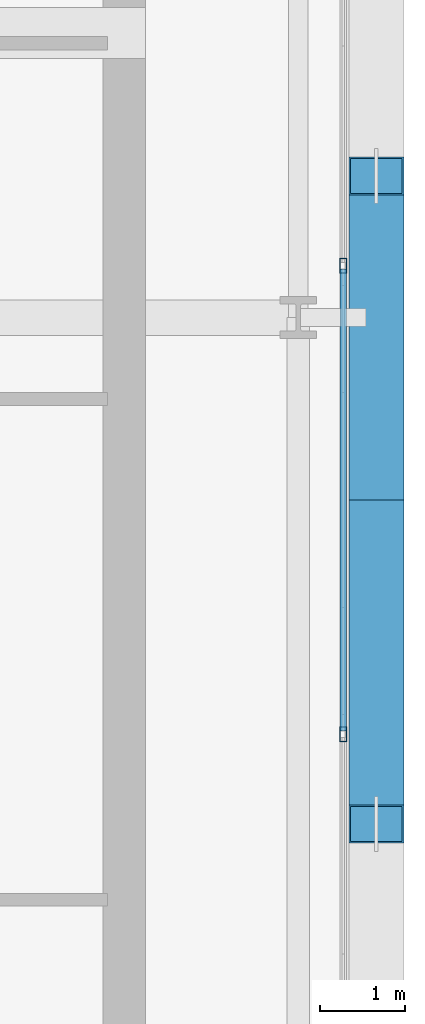
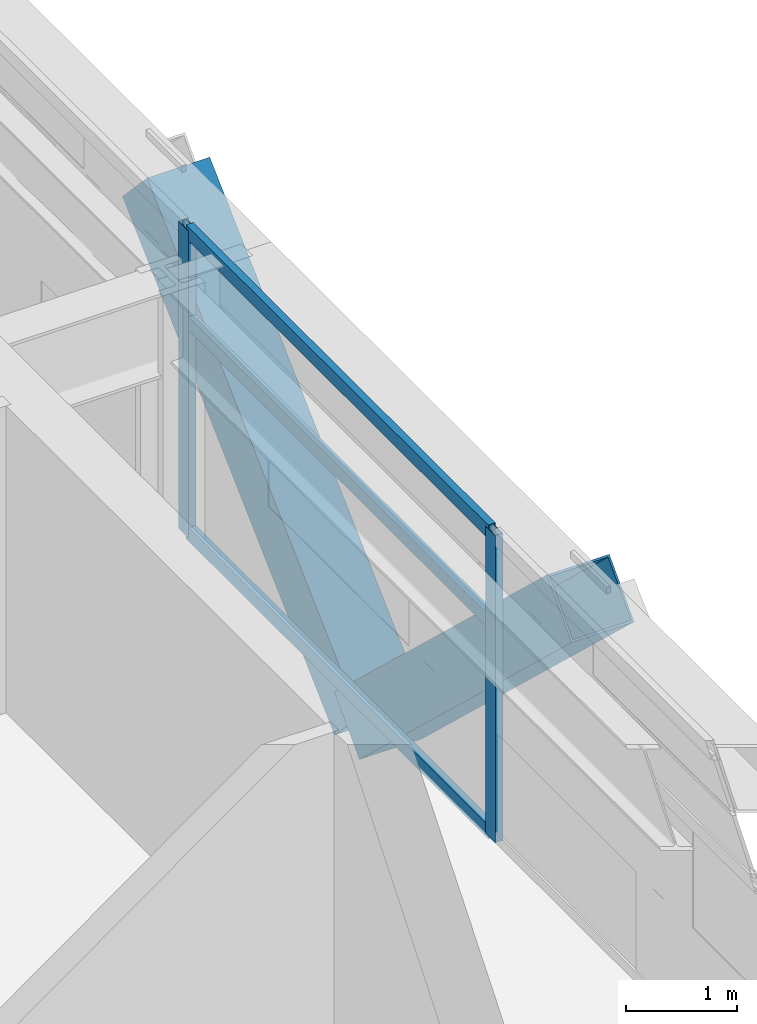
# One storey, part 17 of 38: 7 members, 1 element without a shape of its own.
"""IFC4 building model written with IfcOpenShell, lengths in metres."""

from ifc_helpers import new_model, si_unit, direction, frame, origin, origin_2d, place, context, subcontext, project, spatial, hollow_rectangle, extrude, source, transform, mapped, material, layer, layer_set, material_profile, profile_set, type_object, element, aggregate, save


model = new_model("IFC4")

# Units and contexts
model_context = context("Model", 3, precision=1e-05, world=origin(), true_north=direction((0.0, 1.0)))
body_context = subcontext(model_context, "Body", "Model", "MODEL_VIEW")
ifc_project = project(units=[si_unit("LENGTHUNIT", "METRE"), si_unit("AREAUNIT", "SQUARE_METRE"), si_unit("VOLUMEUNIT", "CUBIC_METRE"), si_unit("PLANEANGLEUNIT", "RADIAN"), si_unit("MASSUNIT", "GRAM", prefix="KILO")], contexts=[model_context])

# Site, building, storey
site_placement = place(None, origin())
site = spatial("IfcSite", under=ifc_project, at=site_placement, CompositionType="ELEMENT")
building_placement = place(site_placement, origin())
building = spatial("IfcBuilding", under=site, at=building_placement, Name="Ocotamira Hotel", CompositionType="ELEMENT")
storey_placement = place(building_placement, frame((0.0, 0.0, 170.39990234375)))
storey = spatial("IfcBuildingStorey", under=building, at=storey_placement, Name="L42", CompositionType="ELEMENT", Elevation=170.39990234375)

# Members
ifc_material_1 = material(Name="Pale-metal coated steel ASTM A913 Grade 65", Category="steel")
ifc_material_profile_1 = material_profile(ifc_material_1, hollow_rectangle(XDim=0.64990234375, YDim=0.64990234375, WallThickness=0.02197265625, at=origin_2d()), Name="BOX650X650X22")
ifc_profile_set_1 = profile_set([ifc_material_profile_1], Name="Pale-metal coated steel ASTM A913 Grade 65")
member_type_1 = type_object("IfcMemberType", Name="MEM-EXO-BOX650", PredefinedType="BRACE", material=ifc_profile_set_1)
shared_shape_1 = source(origin(), body_context, "Body", "SweptSolid", [
    extrude(hollow_rectangle(XDim=0.64990234375, YDim=0.64990234375, WallThickness=0.02197265625, at=origin_2d()), origin(), (0.0, 0.0, 1.0), 5.24658203125),
])
for number, where, z_axis, x_axis, name in (
    (1, (55.969970703125, 26.0, -0.47998046875), (0.0, -0.727442733726, 0.686168397078), (1.0, 0.0, 0.0), "L42 Exoskeleton Diagrid E1.1"),
    (2, (55.969970703125, 26.0, -0.47998046875), (0.0, 0.727442733726, 0.686168397078), (-1.0, 0.0, 0.0), "L42 Exoskeleton Diagrid E1.2"),
):
    element("IfcMember", number, at=place(storey_placement, frame(where, z_axis=z_axis, x_axis=x_axis)), inside=storey, type_object=member_type_1, Name=name, PredefinedType="BRACE", context=body_context, shape_type="MappedRepresentation", body=[
        mapped(shared_shape_1, transform((0.0, 0.0, 0.0), scale=1.0)),
    ])

# Curtain wall, members
ifc_material_2 = material(Name="Anodised pale-metal aluminium and solar glass", Category="aluminium")
ifc_layer = layer(ifc_material_2, 0.199951171875)
ifc_layer_set = layer_set([ifc_layer], Name="Anodised pale-metal aluminium and solar glass")
curtain_wall_type = type_object("IfcCurtainWallType", Name="CW-SYS4-Z3", PredefinedType="NOTDEFINED", material=ifc_layer_set)
curtain_wall_placement = place(storey_placement, origin())
curtain_wall = element("IfcCurtainWall", 3, at=curtain_wall_placement, inside=storey, type_object=curtain_wall_type, Name="L42 Curtain Wall CW-4 CW-L42-E", PredefinedType="NOTDEFINED")
ifc_material_3 = material(Name="Anodised pale-metal aluminium 6063-T6", Category="aluminium")
ifc_material_profile_2 = material_profile(ifc_material_3, hollow_rectangle(XDim=0.080078125, YDim=0.179931640625, WallThickness=0.006103515625, at=origin_2d()), Name="HSS180X80X6")
ifc_profile_set_2 = profile_set([ifc_material_profile_2], Name="Anodised pale-metal aluminium 6063-T6")
member_type_2 = type_object("IfcMemberType", Name="CWM-180X75", PredefinedType="MULLION", material=ifc_profile_set_2)
shared_shape_2 = source(origin(), body_context, "Body", "SweptSolid", [
    extrude(hollow_rectangle(XDim=0.080078125, YDim=0.179931640625, WallThickness=0.006103515625, at=origin_2d()), origin(), (0.0, 0.0, 1.0), 3.3701171875),
])
member_1_placement = place(storey_placement, frame((55.580078125, 23.239990234375, 0.0), z_axis=(0.0, 0.0, 1.0), x_axis=(-1.0, 0.0, 0.0)))
member_1 = element("IfcMember", 4, at=member_1_placement, type_object=member_type_2, Name="CW-4 mullion 3", PredefinedType="MULLION", context=body_context, shape_type="MappedRepresentation", body=[
    mapped(shared_shape_2, transform((0.0, 0.0, 0.0), scale=1.0)),
])
member_2_placement = place(storey_placement, frame((55.580078125, 28.760009765625, 0.0), z_axis=(0.0, 0.0, 1.0), x_axis=(-1.0, 0.0, 0.0)))
member_2 = element("IfcMember", 5, at=member_2_placement, type_object=member_type_2, Name="CW-4 mullion 4", PredefinedType="MULLION", context=body_context, shape_type="MappedRepresentation", body=[
    mapped(shared_shape_2, transform((0.0, 0.0, 0.0), scale=1.0)),
])
ifc_material_profile_3 = material_profile(ifc_material_3, hollow_rectangle(XDim=0.074951171875, YDim=0.14990234375, WallThickness=0.006103515625, at=origin_2d()), Name="HSS150X75X6")
ifc_profile_set_3 = profile_set([ifc_material_profile_3], Name="Anodised pale-metal aluminium 6063-T6")
member_type_3 = type_object("IfcMemberType", Name="CWT-150X75", PredefinedType="USERDEFINED", material=ifc_profile_set_3)
shared_shape_3 = source(origin(), body_context, "Body", "SweptSolid", [
    extrude(hollow_rectangle(XDim=0.074951171875, YDim=0.14990234375, WallThickness=0.006103515625, at=origin_2d()), origin(), (0.0, 0.0, 1.0), 5.43994140625),
])
member_3_placement = place(storey_placement, frame((55.580078125, 23.280029296875, 0.03759765625), z_axis=(0.0, 1.0, 0.0), x_axis=(-1.0, 0.0, 0.0)))
member_3 = element("IfcMember", 6, at=member_3_placement, type_object=member_type_3, Name="CW-4 transom 3.1", ObjectType="TRANSOM", PredefinedType="USERDEFINED", context=body_context, shape_type="MappedRepresentation", body=[
    mapped(shared_shape_3, transform((0.0, 0.0, 0.0), scale=1.0)),
])
member_4_placement = place(storey_placement, frame((55.580078125, 23.280029296875, 2.35009765625), z_axis=(0.0, 1.0, 0.0), x_axis=(-1.0, 0.0, 0.0)))
member_4 = element("IfcMember", 7, at=member_4_placement, type_object=member_type_3, Name="CW-4 transom 3.2", ObjectType="TRANSOM", PredefinedType="USERDEFINED", context=body_context, shape_type="MappedRepresentation", body=[
    mapped(shared_shape_3, transform((0.0, 0.0, 0.0), scale=1.0)),
])
member_5_placement = place(storey_placement, frame((55.580078125, 23.280029296875, 3.33251953125), z_axis=(0.0, 1.0, 0.0), x_axis=(-1.0, 0.0, 0.0)))
member_5 = element("IfcMember", 8, at=member_5_placement, type_object=member_type_3, Name="CW-4 transom 3.3", ObjectType="TRANSOM", PredefinedType="USERDEFINED", context=body_context, shape_type="MappedRepresentation", body=[
    mapped(shared_shape_3, transform((0.0, 0.0, 0.0), scale=1.0)),
])
aggregate(curtain_wall, [member_1, member_2, member_3, member_4, member_5])

save(model, "model.ifc")
